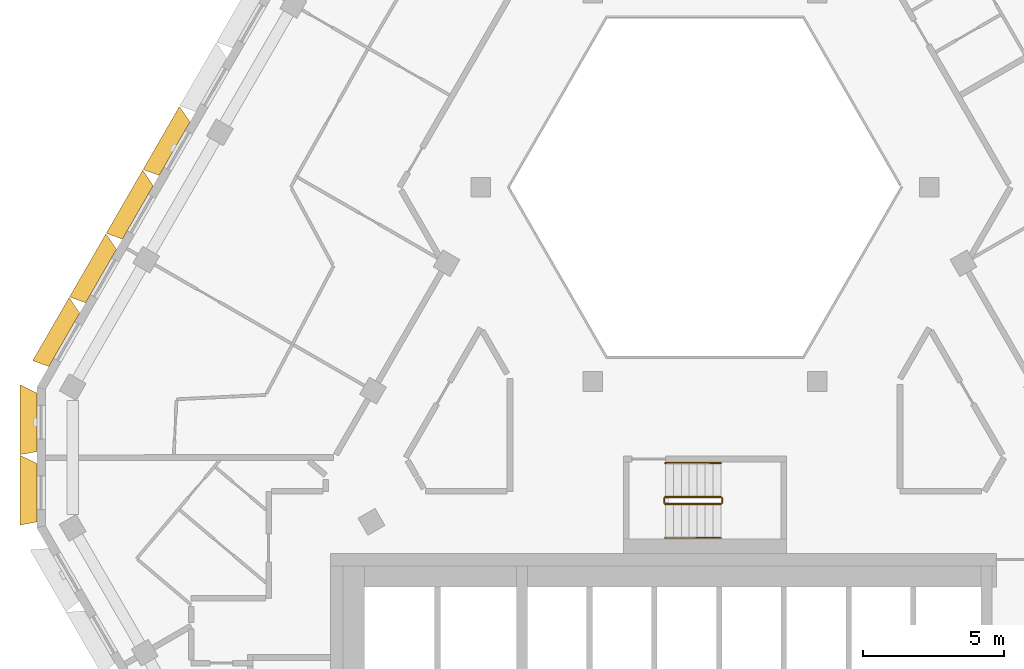
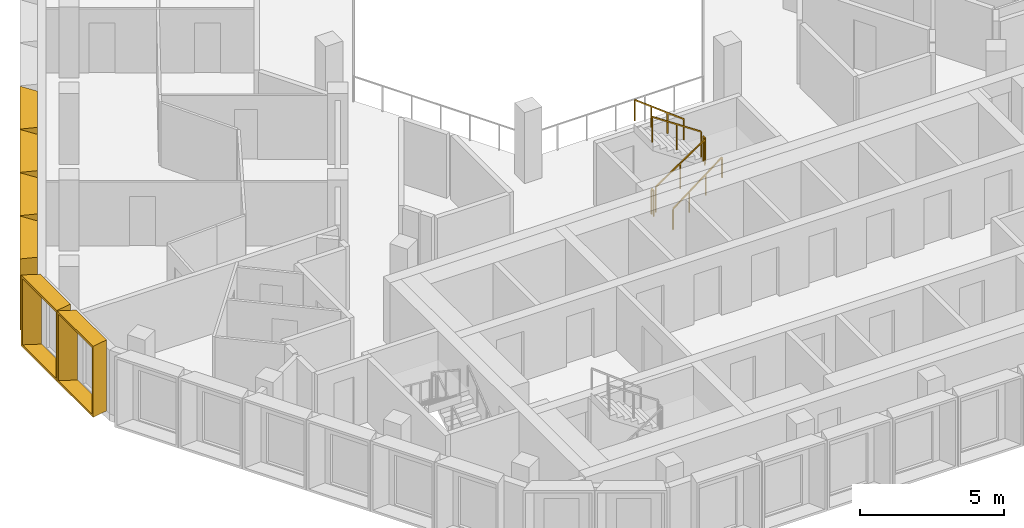
# One storey, part 13 of 16: 6 railings, 6 shading devices.
"""IFC4 building model written with IfcOpenShell, lengths in metres."""

from ifc_helpers import new_model, entity, si_unit, direction, frame, origin, origin_2d, place, context, subcontext, project, spatial, rectangle, extrude, source, transform, mapped, material, type_object, type_shapes, element, save


model = new_model("IFC4")

# Units and contexts
model_context = context("Model", 3, precision=1e-05, world=origin(), true_north=direction((0.0, 1.0)))
body_context = subcontext(model_context, "Body", "Model", "MODEL_VIEW")
ifc_project = project(units=[si_unit("LENGTHUNIT", "METRE"), si_unit("AREAUNIT", "SQUARE_METRE"), si_unit("VOLUMEUNIT", "CUBIC_METRE"), si_unit("PLANEANGLEUNIT", "RADIAN"), si_unit("MASSUNIT", "GRAM", prefix="KILO")], contexts=[model_context])

# Site, building, storey
site_placement = place(None, origin())
site = spatial("IfcSite", under=ifc_project, at=site_placement, CompositionType="ELEMENT")
building_placement = place(site_placement, origin())
building = spatial("IfcBuilding", under=site, at=building_placement, Name="Beryl Residences", CompositionType="ELEMENT")
storey_placement = place(building_placement, frame((0.0, 0.0, 220.800048828125)))
storey = spatial("IfcBuildingStorey", under=building, at=storey_placement, Name="L68", CompositionType="ELEMENT", Elevation=220.800048828125)

# Shading devices
ifc_material_1 = material(Name="Aluminium pale anodised", Category="aluminium")
shading_device_type_1 = type_object("IfcShadingDeviceType", Name="FR250-60B OUTER SKIN frame 600 mm deep, splay 26/10 deg, 2500 x 3000 mm cell", PredefinedType="USERDEFINED", material=ifc_material_1)
cartesian_point_1 = entity("IfcCartesianPoint", [-1.04052734375, 0.0])
cartesian_point_2 = entity("IfcCartesianPoint", [-0.951416015625, 0.10009765625])
cartesian_point_3 = entity("IfcCartesianPoint", [-1.333251953125, 0.0])
cartesian_point_4 = entity("IfcCartesianPoint", [-1.244140625, 0.10009765625])
shared_shape_1 = source(origin(), body_context, "Body", "SweptSolid", [
    entity("IfcExtrudedAreaSolidTapered", entity("IfcArbitraryProfileDefWithVoids", "AREA", None, entity("IfcPolyline", [cartesian_point_1, entity("IfcCartesianPoint", [1.04052734375, 0.0]), entity("IfcCartesianPoint", [1.04052734375, 3.0]), entity("IfcCartesianPoint", [-1.04052734375, 3.0]), cartesian_point_1]), [entity("IfcPolyline", [cartesian_point_2, entity("IfcCartesianPoint", [0.959228515625, 0.10009765625]), entity("IfcCartesianPoint", [0.959228515625, 2.89990234375]), entity("IfcCartesianPoint", [-0.951416015625, 2.89990234375]), cartesian_point_2])]), entity("IfcAxis2Placement3D", entity("IfcCartesianPoint", [0.0, 0.0, 0.0]), entity("IfcDirection", [0.0, 1.0, 0.0]), entity("IfcDirection", [-1.0, 0.0, 0.0])), entity("IfcDirection", [0.0, 0.0, 1.0]), 0.60009765625, entity("IfcArbitraryProfileDefWithVoids", "AREA", None, entity("IfcPolyline", [cartesian_point_3, entity("IfcCartesianPoint", [1.146240234375, 0.0]), entity("IfcCartesianPoint", [1.146240234375, 3.0]), entity("IfcCartesianPoint", [-1.333251953125, 3.0]), cartesian_point_3]), [entity("IfcPolyline", [cartesian_point_4, entity("IfcCartesianPoint", [1.06494140625, 0.10009765625]), entity("IfcCartesianPoint", [1.06494140625, 2.89990234375]), entity("IfcCartesianPoint", [-1.244140625, 2.89990234375]), cartesian_point_4])])),
])
type_shapes(shading_device_type_1, [shared_shape_1])
for number, where, z_axis, x_axis, name in (
    (1, (-23.72900390625, -0.35009765625, 0.0), (0.0, 0.0, 1.0), (0.0, 1.0, 0.0), "FR250-60B frame L68 NW-SW 1"),
    (2, (-23.72900390625, -2.85009765625, 0.0), (0.0, 0.0, 1.0), (0.0, 1.0, 0.0), "FR250-60B frame L68 NW-SW 2"),
):
    element("IfcShadingDevice", number, at=place(storey_placement, frame(where, z_axis=z_axis, x_axis=x_axis)), inside=storey, type_object=shading_device_type_1, Name=name, ObjectType="OUTER SKIN", PredefinedType="USERDEFINED", context=body_context, shape_type="MappedRepresentation", body=[
        mapped(shared_shape_1, transform((0.0, 0.0, 0.0))),
    ])
ifc_material_2 = material(Name="Aluminium pale anodised", Category="aluminium")
shading_device_type_2 = type_object("IfcShadingDeviceType", Name="FR261-60B OUTER SKIN frame 600 mm deep, splay 26/10 deg, 2610 x 3000 mm cell", PredefinedType="USERDEFINED", material=ifc_material_2)
cartesian_point_5 = entity("IfcCartesianPoint", [-1.095458984375, 0.0])
cartesian_point_6 = entity("IfcCartesianPoint", [-1.006591796875, 0.10009765625])
cartesian_point_7 = entity("IfcCartesianPoint", [-1.38818359375, 0.0])
cartesian_point_8 = entity("IfcCartesianPoint", [-1.299072265625, 0.10009765625])
shared_shape_2 = source(origin(), body_context, "Body", "SweptSolid", [
    entity("IfcExtrudedAreaSolidTapered", entity("IfcArbitraryProfileDefWithVoids", "AREA", None, entity("IfcPolyline", [cartesian_point_5, entity("IfcCartesianPoint", [1.095458984375, 0.0]), entity("IfcCartesianPoint", [1.095458984375, 3.0]), entity("IfcCartesianPoint", [-1.095458984375, 3.0]), cartesian_point_5]), [entity("IfcPolyline", [cartesian_point_6, entity("IfcCartesianPoint", [1.01416015625, 0.10009765625]), entity("IfcCartesianPoint", [1.01416015625, 2.89990234375]), entity("IfcCartesianPoint", [-1.006591796875, 2.89990234375]), cartesian_point_6])]), entity("IfcAxis2Placement3D", entity("IfcCartesianPoint", [0.0, 0.0, 0.0]), entity("IfcDirection", [0.0, 1.0, 0.0]), entity("IfcDirection", [-1.0, 0.0, 0.0])), entity("IfcDirection", [0.0, 0.0, 1.0]), 0.60009765625, entity("IfcArbitraryProfileDefWithVoids", "AREA", None, entity("IfcPolyline", [cartesian_point_7, entity("IfcCartesianPoint", [1.201416015625, 0.0]), entity("IfcCartesianPoint", [1.201416015625, 3.0]), entity("IfcCartesianPoint", [-1.38818359375, 3.0]), cartesian_point_7]), [entity("IfcPolyline", [cartesian_point_8, entity("IfcCartesianPoint", [1.1201171875, 0.10009765625]), entity("IfcCartesianPoint", [1.1201171875, 2.89990234375]), entity("IfcCartesianPoint", [-1.299072265625, 2.89990234375]), cartesian_point_8])])),
])
type_shapes(shading_device_type_2, [shared_shape_2])
for number, where, z_axis, x_axis, name in (
    (3, (-18.839111328125, 9.368896484375, 0.0), (0.0, 0.0, 1.0), (0.5, 0.866025403784, 0.0), "FR261-60B frame L68 NW 5"),
    (4, (-20.14501953125, 7.10595703125, 0.0), (0.0, 0.0, 1.0), (0.5, 0.866025403784, 0.0), "FR261-60B frame L68 NW 6"),
    (5, (-21.450927734375, 4.843994140625, 0.0), (0.0, 0.0, 1.0), (0.5, 0.866025403784, 0.0), "FR261-60B frame L68 NW 7"),
    (6, (-22.758056640625, 2.5810546875, 0.0), (0.0, 0.0, 1.0), (0.5, 0.866025403784, 0.0), "FR261-60B frame L68 NW 8"),
):
    element("IfcShadingDevice", number, at=place(storey_placement, frame(where, z_axis=z_axis, x_axis=x_axis)), inside=storey, type_object=shading_device_type_2, Name=name, ObjectType="OUTER SKIN", PredefinedType="USERDEFINED", context=body_context, shape_type="MappedRepresentation", body=[
        mapped(shared_shape_2, transform((0.0, 0.0, 0.0))),
    ])

# Railings
ifc_material_3 = material(Name="Stainless steel balustrade with glass infill", Category="steel")
railing_type_1 = type_object("IfcRailingType", Name="SG1 stair guard 1100 mm", PredefinedType="GUARDRAIL", material=ifc_material_3)
railing_1_placement = place(storey_placement, frame((-1.39990234375, -3.25, 0.1875)))
element("IfcRailing", 7, at=railing_1_placement, inside=storey, type_object=railing_type_1, Name="L68 ST-4 stair guard 1", PredefinedType="GUARDRAIL", context=body_context, shape_type="SweptSolid", body=[
    extrude(rectangle(XDim=0.048095703125, YDim=0.048095703125, at=origin_2d()), frame((0.0, 0.0, 1.076171875), z_axis=(0.830902050051, 0.0, 0.556418712142), x_axis=(0.0, 1.0, 0.0)), (0.0, 0.0, 1.0), 2.35888671875),
    extrude(rectangle(XDim=0.0419921875, YDim=0.0419921875, at=origin_2d()), origin(), (0.0, 0.0, 1.0), 1.052001953125),
    extrude(rectangle(XDim=0.0419921875, YDim=0.0419921875, at=origin_2d()), frame((0.97998046875, 0.0, 0.65625)), (0.0, 0.0, 1.0), 1.052001953125),
    extrude(rectangle(XDim=0.0419921875, YDim=0.0419921875, at=origin_2d()), frame((1.9599609375, 0.0, 1.3125)), (0.0, 0.0, 1.0), 1.052001953125),
])
railing_2_placement = place(storey_placement, frame((0.610107421875, -3.199951171875, 1.5)))
element("IfcRailing", 8, at=railing_2_placement, inside=storey, type_object=railing_type_1, Name="L68 ST-4 stair guard 2", PredefinedType="GUARDRAIL", context=body_context, shape_type="SweptSolid", body=[
    extrude(rectangle(XDim=0.048095703125, YDim=0.048095703125, at=origin_2d()), frame((0.0, 0.0, 1.076171875), z_axis=(0.0, 1.0, 0.0), x_axis=(-1.0, 0.0, 0.0)), (0.0, 0.0, 1.0), 0.14990234375),
    extrude(rectangle(XDim=0.0419921875, YDim=0.0419921875, at=origin_2d()), origin(), (0.0, 0.0, 1.0), 1.052001953125),
    extrude(rectangle(XDim=0.0419921875, YDim=0.0419921875, at=origin_2d()), frame((0.0, 0.14990234375, 0.0)), (0.0, 0.0, 1.0), 1.052001953125),
])
railing_3_placement = place(storey_placement, frame((0.56005859375, -3.0, 1.6875)))
element("IfcRailing", 9, at=railing_3_placement, inside=storey, type_object=railing_type_1, Name="L68 ST-4 stair guard 3", PredefinedType="GUARDRAIL", context=body_context, shape_type="SweptSolid", body=[
    extrude(rectangle(XDim=0.048095703125, YDim=0.048095703125, at=origin_2d()), frame((0.0, 0.0, 1.076171875), z_axis=(-0.830902050051, 0.0, 0.556418712142), x_axis=(0.0, -1.0, 0.0)), (0.0, 0.0, 1.0), 2.35888671875),
    extrude(rectangle(XDim=0.0419921875, YDim=0.0419921875, at=origin_2d()), origin(), (0.0, 0.0, 1.0), 1.052001953125),
    extrude(rectangle(XDim=0.0419921875, YDim=0.0419921875, at=origin_2d()), frame((-0.97998046875, 0.0, 0.65625)), (0.0, 0.0, 1.0), 1.052001953125),
    extrude(rectangle(XDim=0.0419921875, YDim=0.0419921875, at=origin_2d()), frame((-1.9599609375, 0.0, 1.3125)), (0.0, 0.0, 1.0), 1.052001953125),
])
railing_4_placement = place(storey_placement, frame((-1.449951171875, -3.199951171875, 0.0)))
element("IfcRailing", 10, at=railing_4_placement, inside=storey, type_object=railing_type_1, Name="L68 ST-4 stair guard 4", PredefinedType="GUARDRAIL", context=body_context, shape_type="SweptSolid", body=[
    extrude(rectangle(XDim=0.048095703125, YDim=0.048095703125, at=origin_2d()), frame((0.0, 0.0, 1.076171875), z_axis=(0.0, 1.0, 0.0), x_axis=(-1.0, 0.0, 0.0)), (0.0, 0.0, 1.0), 0.14990234375),
    extrude(rectangle(XDim=0.0419921875, YDim=0.0419921875, at=origin_2d()), origin(), (0.0, 0.0, 1.0), 1.052001953125),
    extrude(rectangle(XDim=0.0419921875, YDim=0.0419921875, at=origin_2d()), frame((0.0, 0.14990234375, 0.0)), (0.0, 0.0, 1.0), 1.052001953125),
])
ifc_material_4 = material(Name="Stainless steel handrail", Category="steel")
railing_type_2 = type_object("IfcRailingType", Name="SRL1 stair handrail 900 mm", PredefinedType="HANDRAIL", material=ifc_material_4)
railing_5_placement = place(storey_placement, frame((-1.39990234375, -4.449951171875, 0.1875)))
element("IfcRailing", 11, at=railing_5_placement, inside=storey, type_object=railing_type_2, Name="L68 ST-4 stair handrail 1", PredefinedType="HANDRAIL", context=body_context, shape_type="SweptSolid", body=[
    extrude(rectangle(XDim=0.048095703125, YDim=0.048095703125, at=origin_2d()), frame((0.0, 0.0, 0.8759765625), z_axis=(0.794121922505, 0.0, 0.607758481798), x_axis=(0.0, 1.0, 0.0)), (0.0, 0.0, 1.0), 2.468017578125),
    extrude(rectangle(XDim=0.0419921875, YDim=0.0419921875, at=origin_2d()), origin(), (0.0, 0.0, 1.0), 0.851806640625),
    extrude(rectangle(XDim=0.0419921875, YDim=0.0419921875, at=origin_2d()), frame((0.6533203125, 0.0, 0.5)), (0.0, 0.0, 1.0), 0.851806640625),
    extrude(rectangle(XDim=0.0419921875, YDim=0.0419921875, at=origin_2d()), frame((1.306640625, 0.0, 1.0)), (0.0, 0.0, 1.0), 0.851806640625),
    extrude(rectangle(XDim=0.0419921875, YDim=0.0419921875, at=origin_2d()), frame((1.9599609375, 0.0, 1.5)), (0.0, 0.0, 1.0), 0.851806640625),
])
railing_6_placement = place(storey_placement, frame((0.56005859375, -1.800048828125, 1.6875)))
element("IfcRailing", 12, at=railing_6_placement, inside=storey, type_object=railing_type_2, Name="L68 ST-4 stair handrail 2", PredefinedType="HANDRAIL", context=body_context, shape_type="SweptSolid", body=[
    extrude(rectangle(XDim=0.048095703125, YDim=0.048095703125, at=origin_2d()), frame((0.0, 0.0, 0.8759765625), z_axis=(-0.794121922505, 0.0, 0.607758481798), x_axis=(0.0, -1.0, 0.0)), (0.0, 0.0, 1.0), 2.468017578125),
    extrude(rectangle(XDim=0.0419921875, YDim=0.0419921875, at=origin_2d()), origin(), (0.0, 0.0, 1.0), 0.851806640625),
    extrude(rectangle(XDim=0.0419921875, YDim=0.0419921875, at=origin_2d()), frame((-0.6533203125, 0.0, 0.5)), (0.0, 0.0, 1.0), 0.851806640625),
    extrude(rectangle(XDim=0.0419921875, YDim=0.0419921875, at=origin_2d()), frame((-1.306640625, 0.0, 1.0)), (0.0, 0.0, 1.0), 0.851806640625),
    extrude(rectangle(XDim=0.0419921875, YDim=0.0419921875, at=origin_2d()), frame((-1.9599609375, 0.0, 1.5)), (0.0, 0.0, 1.0), 0.851806640625),
])

save(model, "model.ifc")
